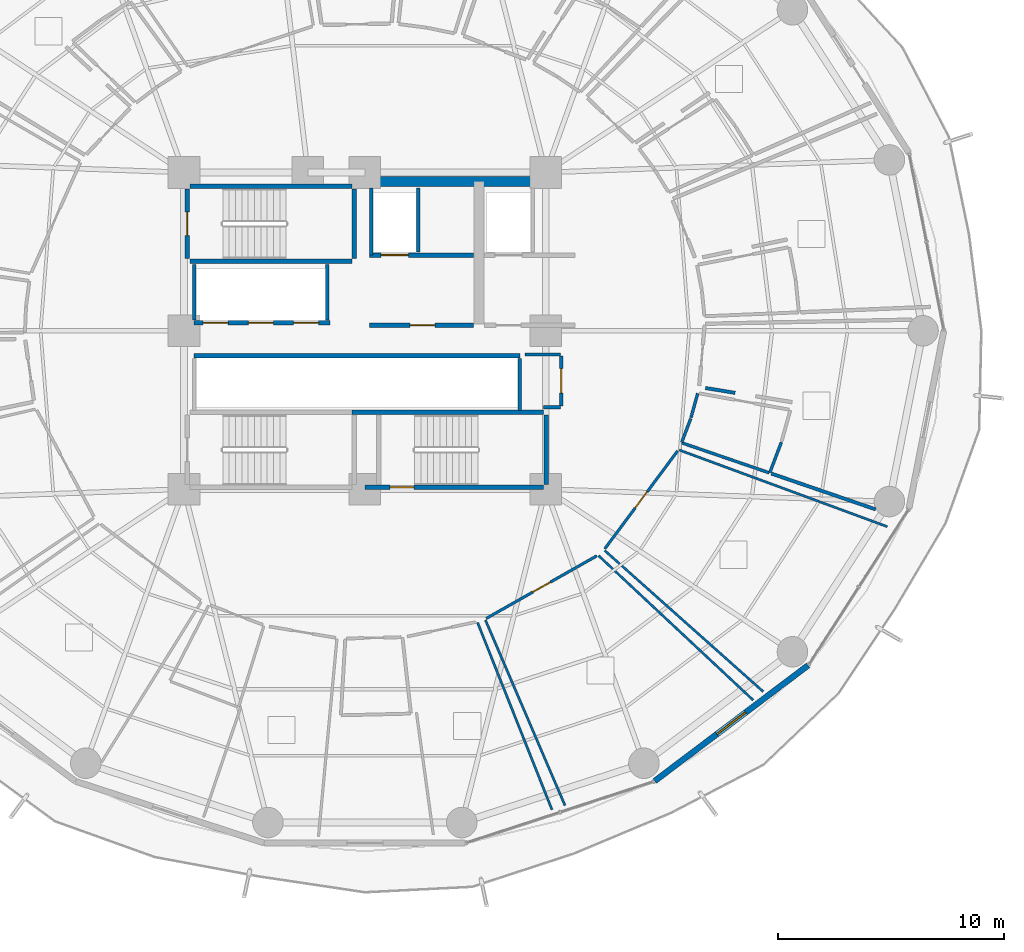
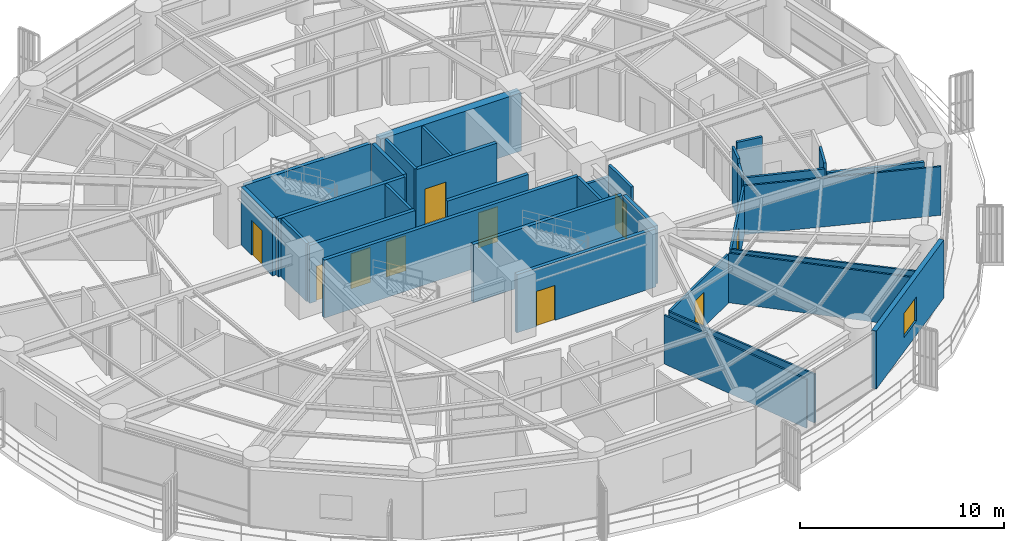
# One storey, part 28 of 35: 34 walls, 10 doors, 1 window, 11 openings.
"""IFC4 building model written with IfcOpenShell, lengths in metres."""

from ifc_helpers import new_model, si_unit, direction, frame, frame_2d, origin, place, context, subcontext, project, spatial, rectangle, extrude, material, layer, layer_set, type_object, element, fill, save


model = new_model("IFC4")

# Units and contexts
model_context = context("Model", 3, precision=1e-05, world=origin(), true_north=direction((0.0, 1.0)))
body_context = subcontext(model_context, "Body", "Model", "MODEL_VIEW")
ifc_project = project(units=[si_unit("LENGTHUNIT", "METRE"), si_unit("AREAUNIT", "SQUARE_METRE"), si_unit("VOLUMEUNIT", "CUBIC_METRE"), si_unit("PLANEANGLEUNIT", "RADIAN"), si_unit("MASSUNIT", "GRAM", prefix="KILO")], contexts=[model_context])

# Site, building, storey
site_placement = place(None, origin())
site = spatial("IfcSite", under=ifc_project, at=site_placement, CompositionType="ELEMENT")
building_placement = place(site_placement, origin())
building = spatial("IfcBuilding", under=site, at=building_placement, Name="Kelanora Arch Commons", CompositionType="ELEMENT")
storey_placement = place(building_placement, frame((0.0, 0.0, 91.35009765625)))
storey = spatial("IfcBuildingStorey", under=building, at=storey_placement, Name="L23", CompositionType="ELEMENT", Elevation=91.35009765625)

# Walls
ifc_material_1 = material(Name="Autoclaved aerated concrete blockwork with fire plaster", Category="masonry")
ifc_layer_1 = layer(ifc_material_1, 0.14990234375)
ifc_layer_set_1 = layer_set([ifc_layer_1], Name="Autoclaved aerated concrete blockwork with fire plaster")
wall_type_1 = type_object("IfcWallType", Name="W-COMP-150", PredefinedType="PARTITIONING", material=ifc_layer_set_1)
wall_1_placement = place(storey_placement, frame((74.280029296875, 61.35009765625, 0.0), z_axis=(0.0, 0.0, 1.0), x_axis=(0.0, 1.0, 0.0)))
element("IfcWall", 1, at=wall_1_placement, inside=storey, type_object=wall_type_1, Name="Firefighting Lift 1 West Shaft Wall L23", PredefinedType="PARTITIONING", context=body_context, shape_type="SweptSolid", body=[
    extrude(rectangle(XDim=2.969970703125, YDim=0.14990234375, at=frame_2d((1.48486328125, 0.0))), origin(), (0.0, 0.0, 1.0), 3.47998046875),
])
wall_2_placement = place(storey_placement, frame((76.360107421875, 61.47998046875, 0.0), z_axis=(0.0, 0.0, 1.0), x_axis=(0.0, 1.0, 0.0)))
element("IfcWall", 2, at=wall_2_placement, inside=storey, type_object=wall_type_1, Name="Firefighting Lift 1 East Shaft Wall L23", PredefinedType="PARTITIONING", context=body_context, shape_type="SweptSolid", body=[
    extrude(rectangle(XDim=2.840087890625, YDim=0.14990234375, at=frame_2d((1.419921875, 0.0))), origin(), (0.0, 0.0, 1.0), 3.47998046875),
])
for number, where, z_axis, x_axis, name in (
    (3, (66.4599609375, 58.47998046875, 0.0), (0.0, 0.0, 1.0), (0.0, 1.0, 0.0), "Low-Rise Lift Bank West Wall L23"),
    (4, (72.340087890625, 58.47998046875, 0.0), (0.0, 0.0, 1.0), (0.0, 1.0, 0.0), "Low-Rise Lift Bank East Wall L23"),
):
    element("IfcWall", number, at=place(storey_placement, frame(where, z_axis=z_axis, x_axis=x_axis)), inside=storey, type_object=wall_type_1, Name=name, PredefinedType="PARTITIONING", context=body_context, shape_type="SweptSolid", body=[
        extrude(rectangle(XDim=2.4599609375, YDim=0.14990234375, at=frame_2d((1.22998046875, 0.0))), origin(), (0.0, 0.0, 1.0), 3.47998046875),
    ])
wall_3_placement = place(storey_placement, frame((80.840087890625, 54.47998046875, 0.0), z_axis=(0.0, 0.0, 1.0), x_axis=(0.0, 1.0, 0.0)))
element("IfcWall", 5, at=wall_3_placement, inside=storey, type_object=wall_type_1, Name="South Lift Bank East Wall L23", PredefinedType="PARTITIONING", context=body_context, shape_type="SweptSolid", body=[
    extrude(rectangle(XDim=2.2900390625, YDim=0.14990234375, at=frame_2d((1.14501953125, 0.0))), origin(), (0.0, 0.0, 1.0), 3.47998046875),
])

# Wall, opening, door
wall_4_placement = place(storey_placement, frame((82.679931640625, 54.679931640625, 0.0), z_axis=(0.0, 0.0, 1.0), x_axis=(0.0, 1.0, 0.0)))
wall_4 = element("IfcWall", 6, at=wall_4_placement, inside=storey, type_object=wall_type_1, Name="Core Housekeeping Store L23 Entry Partition", PredefinedType="PARTITIONING", context=body_context, shape_type="SweptSolid", body=[
    extrude(rectangle(XDim=2.2099609375, YDim=0.14990234375, at=frame_2d((1.10498046875, 0.0))), origin(), (0.0, 0.0, 1.0), 3.47998046875),
])
opening_1_placement = place(wall_4_placement, frame((0.56494140625, 0.0, 0.0)))
opening_1 = element("IfcOpeningElement", 7, at=opening_1_placement, cuts=wall_4, Name="Opening D-PLT1", PredefinedType="OPENING", context=body_context, shape_type="SweptSolid", body=[
    extrude(rectangle(XDim=1.080078125, YDim=2.10009765625, at=frame_2d((0.5400390625, 1.050048828125))), frame((0.0, 0.0849609375, 0.0), z_axis=(0.0, -1.0, 0.0), x_axis=(1.0, 0.0, 0.0)), (0.0, 0.0, 1.0), 0.169921875),
])
ifc_material_2 = material(Name="Galvanised steel plant and riser fire door", Category="steel")
door_type_1 = type_object("IfcDoorType", Name="D-PLT-110", OperationType="NOTDEFINED", PredefinedType="DOOR", material=ifc_material_2)
door_1_placement = place(opening_1_placement, origin())
door_1 = element("IfcDoor", 8, at=door_1_placement, inside=storey, type_object=door_type_1, Name="Core Housekeeping Store L23 Door", OperationType="SINGLE_SWING_LEFT", OverallHeight=2.10009765625, OverallWidth=1.080078125, PredefinedType="DOOR", context=body_context, shape_type="SweptSolid", body=[
    extrude(rectangle(XDim=1.080078125, YDim=2.10009765625, at=frame_2d((0.5400390625, 1.050048828125))), frame((0.0, 0.02490234375, 0.0), z_axis=(0.0, -1.0, 0.0), x_axis=(1.0, 0.0, 0.0)), (0.0, 0.0, 1.0), 0.050048828125),
])
fill(opening_1, door_1)

# Walls
wall_5_placement = place(storey_placement, frame((81.89990234375, 54.6201171875, 0.0), z_axis=(0.0, 0.0, 1.0), x_axis=(1.0, 0.0, 0.0)))
element("IfcWall", 9, at=wall_5_placement, inside=storey, type_object=wall_type_1, Name="Core Housekeeping Store L23 Enclosure Partition 1", PredefinedType="PARTITIONING", context=body_context, shape_type="SweptSolid", body=[
    extrude(rectangle(XDim=0.739990234375, YDim=0.14990234375, at=frame_2d((0.3701171875, 0.0))), origin(), (0.0, 0.0, 1.0), 2.77490234375),
])
wall_6_placement = place(storey_placement, frame((82.639892578125, 56.949951171875, 0.0), z_axis=(0.0, 0.0, 1.0), x_axis=(-1.0, 0.0, 0.0)))
element("IfcWall", 10, at=wall_6_placement, inside=storey, type_object=wall_type_1, Name="Core Housekeeping Store L23 Enclosure Partition 3", PredefinedType="PARTITIONING", context=body_context, shape_type="SweptSolid", body=[
    extrude(rectangle(XDim=1.5498046875, YDim=0.14990234375, at=frame_2d((0.77490234375, 0.0))), origin(), (0.0, 0.0, 1.0), 2.77490234375),
])
wall_7_placement = place(storey_placement, frame((96.58251953125, 50.103515625, 0.0), z_axis=(0.0, 0.0, 1.0), x_axis=(-0.945793886269, 0.324767493288, 0.0)))
element("IfcWall", 11, at=wall_7_placement, inside=storey, type_object=wall_type_1, Name="Co-Living Studio L23-14 Enclosure Partition 5", PredefinedType="PARTITIONING", context=body_context, shape_type="SweptSolid", body=[
    extrude(rectangle(XDim=4.872802734375, YDim=0.14990234375, at=frame_2d((2.4365234375, 0.0))), origin(), (0.0, 0.0, 1.0), 2.9248046875),
])
wall_8_placement = place(storey_placement, frame((90.369140625, 55.255126953125, 0.0), z_axis=(0.0, 0.0, 1.0), x_axis=(-0.986928715278, 0.161157410501, 0.0)))
element("IfcWall", 12, at=wall_8_placement, inside=storey, type_object=wall_type_1, Name="Co-Living Studio L23-14 Enclosure Partition 7", PredefinedType="PARTITIONING", context=body_context, shape_type="SweptSolid", body=[
    extrude(rectangle(XDim=1.33154296875, YDim=0.14990234375, at=frame_2d((0.665771484375, 0.0))), origin(), (0.0, 0.0, 1.0), 3.47998046875),
])
ifc_material_3 = material(Name="Concrete C60/75", Category="concrete")
ifc_layer_2 = layer(ifc_material_3, 0.449951171875)
ifc_layer_set_2 = layer_set([ifc_layer_2], Name="Concrete C60/75")
wall_type_2 = type_object("IfcWallType", Name="W-CORE-450", PredefinedType="SHEAR", material=ifc_layer_set_2)
wall_9_placement = place(storey_placement, frame((74.0, 64.60009765625, 0.0), z_axis=(0.0, 0.0, 1.0), x_axis=(1.0, 0.0, 0.0)))
element("IfcWall", 13, at=wall_9_placement, inside=storey, type_object=wall_type_2, Name="Core Shear Spine L23-CN-E", PredefinedType="SHEAR", context=body_context, shape_type="SweptSolid", body=[
    extrude(rectangle(XDim=8.0, YDim=0.449951171875, at=frame_2d((4.0, 0.0))), origin(), (0.0, 0.0, 1.0), 3.489990234375),
])

# Wall, opening, window
ifc_material_4 = material(Name="Precast concrete C40/50 with terracotta rainscreen", Category="masonry")
ifc_layer_3 = layer(ifc_material_4, 0.260009765625)
ifc_layer_set_3 = layer_set([ifc_layer_3], Name="Precast concrete C40/50 with terracotta rainscreen")
wall_type_3 = type_object("IfcWallType", Name="W-EXT-TC", PredefinedType="SOLIDWALL", material=ifc_layer_set_3)
wall_10_placement = place(storey_placement, frame((86.81201171875, 38.09033203125, 0.0), z_axis=(0.0, 0.0, 1.0), x_axis=(0.798501507879, 0.601992808857, 0.0)))
wall_10 = element("IfcWall", 14, at=wall_10_placement, inside=storey, type_object=wall_type_3, Name="Terracotta Exterior Wall L23-B15", PredefinedType="SOLIDWALL", context=body_context, shape_type="SweptSolid", body=[
    extrude(rectangle(XDim=8.499267578125, YDim=0.260009765625, at=frame_2d((4.24951171875, 0.0))), origin(), (0.0, 0.0, 1.0), 3.474853515625),
])
opening_2_placement = place(wall_10_placement, frame((3.449951171875, 0.0, 0.85009765625)))
opening_2 = element("IfcOpeningElement", 15, at=opening_2_placement, cuts=wall_10, Name="Opening WN-01", PredefinedType="OPENING", context=body_context, shape_type="SweptSolid", body=[
    extrude(rectangle(XDim=1.60009765625, YDim=1.449951171875, at=frame_2d((0.800048828125, 0.72509765625))), frame((0.0, 0.14013671875, 0.0), z_axis=(0.0, -1.0, 0.0), x_axis=(1.0, 0.0, 0.0)), (0.0, 0.0, 1.0), 0.280029296875),
])
ifc_material_5 = material(Name="Terracotta-anodised aluminium frame with operable low-E glazing", Category="masonry")
window_type = type_object("IfcWindowType", Name="WIN-CL-18", PartitioningType="DOUBLE_PANEL_VERTICAL", PredefinedType="WINDOW", material=ifc_material_5)
window_placement = place(opening_2_placement, origin())
window = element("IfcWindow", 16, at=window_placement, inside=storey, type_object=window_type, Name="Co-Living Operable Window L23-B15", OverallHeight=1.449951171875, OverallWidth=1.60009765625, PartitioningType="SINGLE_PANEL", PredefinedType="WINDOW", context=body_context, shape_type="SweptSolid", body=[
    extrude(rectangle(XDim=1.60009765625, YDim=1.449951171875, at=frame_2d((0.800048828125, 0.72509765625))), frame((0.0, 0.030029296875, 0.0), z_axis=(0.0, -1.0, 0.0), x_axis=(1.0, 0.0, 0.0)), (0.0, 0.0, 1.0), 0.06005859375),
])
fill(opening_2, window)

# Wall, opening, door
ifc_material_6 = material(Name="Concrete C40/50", Category="concrete")
ifc_layer_4 = layer(ifc_material_6, 0.199951171875)
ifc_layer_set_4 = layer_set([ifc_layer_4], Name="Concrete C40/50")
wall_type_4 = type_object("IfcWallType", Name="W-FFL-200", PredefinedType="SOLIDWALL", material=ifc_layer_set_4)
wall_11_placement = place(storey_placement, frame((74.199951171875, 61.35009765625, 0.0), z_axis=(0.0, 0.0, 1.0), x_axis=(1.0, 0.0, 0.0)))
wall_11 = element("IfcWall", 17, at=wall_11_placement, inside=storey, type_object=wall_type_4, Name="Firefighting Lift 1 Shaft Front L23", PredefinedType="SOLIDWALL", context=body_context, shape_type="SweptSolid", body=[
    extrude(rectangle(XDim=4.60009765625, YDim=0.199951171875, at=frame_2d((2.300048828125, 0.0))), origin(), (0.0, 0.0, 1.0), 3.47998046875),
])
opening_3_placement = place(wall_11_placement, frame((0.52001953125, 0.0, 0.0)))
opening_3 = element("IfcOpeningElement", 18, at=opening_3_placement, cuts=wall_11, Name="Opening LD-FF", PredefinedType="OPENING", context=body_context, shape_type="SweptSolid", body=[
    extrude(rectangle(XDim=1.199951171875, YDim=2.14990234375, at=frame_2d((0.60009765625, 1.074951171875))), frame((0.0, 0.10986328125, 0.0), z_axis=(0.0, -1.0, 0.0), x_axis=(1.0, 0.0, 0.0)), (0.0, 0.0, 1.0), 0.219970703125),
])
ifc_material_7 = material(Name="Fire-rated firefighters lift sliding landing door")
door_type_2 = type_object("IfcDoorType", Name="D-LIFT-FF", OperationType="NOTDEFINED", PredefinedType="DOOR", material=ifc_material_7)
door_2_placement = place(opening_3_placement, origin())
door_2 = element("IfcDoor", 19, at=door_2_placement, inside=storey, type_object=door_type_2, Name="Firefighting Lift LF-FF1 Landing Door L23", OperationType="DOUBLE_DOOR_SLIDING", OverallHeight=2.14990234375, OverallWidth=1.199951171875, PredefinedType="DOOR", context=body_context, shape_type="SweptSolid", body=[
    extrude(rectangle(XDim=1.199951171875, YDim=2.14990234375, at=frame_2d((0.60009765625, 1.074951171875))), frame((0.0, 0.02490234375, 0.0), z_axis=(0.0, -1.0, 0.0), x_axis=(1.0, 0.0, 0.0)), (0.0, 0.0, 1.0), 0.050048828125),
])
fill(opening_3, door_2)

wall_12_placement = place(storey_placement, frame((74.199951171875, 58.25, 0.0), z_axis=(0.0, 0.0, 1.0), x_axis=(1.0, 0.0, 0.0)))
wall_12 = element("IfcWall", 20, at=wall_12_placement, inside=storey, type_object=wall_type_4, Name="Firefighting Lobby 1 Enclosure Wall L23", PredefinedType="SOLIDWALL", context=body_context, shape_type="SweptSolid", body=[
    extrude(rectangle(XDim=4.60009765625, YDim=0.199951171875, at=frame_2d((2.300048828125, 0.0))), origin(), (0.0, 0.0, 1.0), 3.47998046875),
])
opening_4_placement = place(wall_12_placement, frame((1.800048828125, 0.0, 0.0)))
opening_4 = element("IfcOpeningElement", 21, at=opening_4_placement, cuts=wall_12, Name="Opening D-FFL1", PredefinedType="OPENING", context=body_context, shape_type="SweptSolid", body=[
    extrude(rectangle(XDim=1.10009765625, YDim=2.10009765625, at=frame_2d((0.550048828125, 1.050048828125))), frame((0.0, 0.10986328125, 0.0), z_axis=(0.0, -1.0, 0.0), x_axis=(1.0, 0.0, 0.0)), (0.0, 0.0, 1.0), 0.219970703125),
])
ifc_material_8 = material(Name="Smoke-sealed firefighting lobby fire door")
door_type_3 = type_object("IfcDoorType", Name="D-FFL-110", OperationType="NOTDEFINED", PredefinedType="DOOR", material=ifc_material_8)
door_3_placement = place(opening_4_placement, frame((1.10009765625, 0.0, 0.0), z_axis=(0.0, 0.0, 1.0), x_axis=(-1.0, 0.0, 0.0)))
door_3 = element("IfcDoor", 22, at=door_3_placement, inside=storey, type_object=door_type_3, Name="Firefighting Lobby 1 Door L23", OperationType="SINGLE_SWING_LEFT", OverallHeight=2.10009765625, OverallWidth=1.10009765625, PredefinedType="DOOR", context=body_context, shape_type="SweptSolid", body=[
    extrude(rectangle(XDim=1.10009765625, YDim=2.10009765625, at=frame_2d((0.550048828125, 1.050048828125))), frame((0.0, 0.02490234375, 0.0), z_axis=(0.0, -1.0, 0.0), x_axis=(1.0, 0.0, 0.0)), (0.0, 0.0, 1.0), 0.050048828125),
])
fill(opening_4, door_3)

# Wall, openings, doors
wall_13_placement = place(storey_placement, frame((66.449951171875, 58.35009765625, 0.0), z_axis=(0.0, 0.0, 1.0), x_axis=(1.0, 0.0, 0.0)))
wall_13 = element("IfcWall", 23, at=wall_13_placement, inside=storey, type_object=wall_type_4, Name="Low-Rise Passenger Lift Shaft Front L23", PredefinedType="SOLIDWALL", context=body_context, shape_type="SweptSolid", body=[
    extrude(rectangle(XDim=6.0, YDim=0.199951171875, at=frame_2d((3.0, 0.0))), origin(), (0.0, 0.0, 1.0), 3.47998046875),
])
opening_5_placement = place(wall_13_placement, frame((0.39990234375, 0.0, 0.0)))
opening_5 = element("IfcOpeningElement", 24, at=opening_5_placement, cuts=wall_13, Name="Opening LD-01", PredefinedType="OPENING", context=body_context, shape_type="SweptSolid", body=[
    extrude(rectangle(XDim=1.10009765625, YDim=2.10009765625, at=frame_2d((0.550048828125, 1.050048828125))), frame((0.0, 0.10986328125, 0.0), z_axis=(0.0, -1.0, 0.0), x_axis=(1.0, 0.0, 0.0)), (0.0, 0.0, 1.0), 0.219970703125),
])
opening_6_placement = place(wall_13_placement, frame((2.39990234375, 0.0, 0.0)))
opening_6 = element("IfcOpeningElement", 25, at=opening_6_placement, cuts=wall_13, Name="Opening LD-01", PredefinedType="OPENING", context=body_context, shape_type="SweptSolid", body=[
    extrude(rectangle(XDim=1.10009765625, YDim=2.10009765625, at=frame_2d((0.550048828125, 1.050048828125))), frame((0.0, 0.10986328125, 0.0), z_axis=(0.0, -1.0, 0.0), x_axis=(1.0, 0.0, 0.0)), (0.0, 0.0, 1.0), 0.219970703125),
])
opening_7_placement = place(wall_13_placement, frame((4.39990234375, 0.0, 0.0)))
opening_7 = element("IfcOpeningElement", 26, at=opening_7_placement, cuts=wall_13, Name="Opening LD-01", PredefinedType="OPENING", context=body_context, shape_type="SweptSolid", body=[
    extrude(rectangle(XDim=1.10009765625, YDim=2.10009765625, at=frame_2d((0.550048828125, 1.050048828125))), frame((0.0, 0.10986328125, 0.0), z_axis=(0.0, -1.0, 0.0), x_axis=(1.0, 0.0, 0.0)), (0.0, 0.0, 1.0), 0.219970703125),
])
ifc_material_9 = material(Name="Stainless steel passenger lift sliding landing door", Category="steel")
door_type_4 = type_object("IfcDoorType", Name="D-LIFT-110", OperationType="NOTDEFINED", PredefinedType="DOOR", material=ifc_material_9)
door_4_placement = place(opening_5_placement, origin())
door_4 = element("IfcDoor", 27, at=door_4_placement, inside=storey, type_object=door_type_4, Name="Passenger Lift LF-P1 Landing Door L23", OperationType="DOUBLE_DOOR_SLIDING", OverallHeight=2.10009765625, OverallWidth=1.10009765625, PredefinedType="DOOR", context=body_context, shape_type="SweptSolid", body=[
    extrude(rectangle(XDim=1.10009765625, YDim=2.10009765625, at=frame_2d((0.550048828125, 1.050048828125))), frame((0.0, 0.02490234375, 0.0), z_axis=(0.0, -1.0, 0.0), x_axis=(1.0, 0.0, 0.0)), (0.0, 0.0, 1.0), 0.050048828125),
])
fill(opening_5, door_4)
door_5_placement = place(opening_6_placement, origin())
door_5 = element("IfcDoor", 28, at=door_5_placement, inside=storey, type_object=door_type_4, Name="Passenger Lift LF-P2 Landing Door L23", OperationType="DOUBLE_DOOR_SLIDING", OverallHeight=2.10009765625, OverallWidth=1.10009765625, PredefinedType="DOOR", context=body_context, shape_type="SweptSolid", body=[
    extrude(rectangle(XDim=1.10009765625, YDim=2.10009765625, at=frame_2d((0.550048828125, 1.050048828125))), frame((0.0, 0.02490234375, 0.0), z_axis=(0.0, -1.0, 0.0), x_axis=(1.0, 0.0, 0.0)), (0.0, 0.0, 1.0), 0.050048828125),
])
fill(opening_6, door_5)
door_6_placement = place(opening_7_placement, origin())
door_6 = element("IfcDoor", 29, at=door_6_placement, inside=storey, type_object=door_type_4, Name="Passenger Lift LF-P3 Landing Door L23", OperationType="DOUBLE_DOOR_SLIDING", OverallHeight=2.10009765625, OverallWidth=1.10009765625, PredefinedType="DOOR", context=body_context, shape_type="SweptSolid", body=[
    extrude(rectangle(XDim=1.10009765625, YDim=2.10009765625, at=frame_2d((0.550048828125, 1.050048828125))), frame((0.0, 0.02490234375, 0.0), z_axis=(0.0, -1.0, 0.0), x_axis=(1.0, 0.0, 0.0)), (0.0, 0.0, 1.0), 0.050048828125),
])
fill(opening_7, door_6)

# Walls
wall_14_placement = place(storey_placement, frame((66.449951171875, 56.89990234375, 0.0), z_axis=(0.0, 0.0, 1.0), x_axis=(1.0, 0.0, 0.0)))
element("IfcWall", 30, at=wall_14_placement, inside=storey, type_object=wall_type_4, Name="Mid/High/Express Lift Shaft Front L23", PredefinedType="SOLIDWALL", context=body_context, shape_type="SweptSolid", body=[
    extrude(rectangle(XDim=14.400146484375, YDim=0.199951171875, at=frame_2d((7.2001953125, 0.0))), origin(), (0.0, 0.0, 1.0), 3.47998046875),
])
ifc_material_10 = material(Name="Lightweight fire-rated acoustic stud partition")
ifc_layer_5 = layer(ifc_material_10, 0.10009765625)
ifc_layer_set_5 = layer_set([ifc_layer_5], Name="Lightweight fire-rated acoustic stud partition")
wall_type_5 = type_object("IfcWallType", Name="W-PART-100", PredefinedType="PARTITIONING", material=ifc_layer_set_5)
wall_15_placement = place(storey_placement, frame((78.98291015625, 45.098876953125, 0.0), z_axis=(0.0, 0.0, 1.0), x_axis=(0.369438475108, -0.929255192673, 0.0)))
element("IfcWall", 31, at=wall_15_placement, inside=storey, type_object=wall_type_5, Name="Tutorial Study Alcove L23-11 Enclosure Partition 2", PredefinedType="PARTITIONING", context=body_context, shape_type="SweptSolid", body=[
    extrude(rectangle(XDim=8.908935546875, YDim=0.10009765625, at=frame_2d((4.45458984375, 0.0))), origin(), (0.0, 0.0, 1.0), 2.9248046875),
])
wall_16_placement = place(storey_placement, frame((84.337158203125, 48.052734375, 0.0), z_axis=(0.0, 0.0, 1.0), x_axis=(0.730663657097, -0.682737592489, 0.0)))
element("IfcWall", 32, at=wall_16_placement, inside=storey, type_object=wall_type_5, Name="Quiet Seminar Study Room L23-12 Enclosure Partition 2", PredefinedType="PARTITIONING", context=body_context, shape_type="SweptSolid", body=[
    extrude(rectangle(XDim=9.352783203125, YDim=0.10009765625, at=frame_2d((4.67626953125, 0.0))), origin(), (0.0, 0.0, 1.0), 2.974853515625),
])
wall_17_placement = place(storey_placement, frame((82.84912109375, 37.0078125, 0.0), z_axis=(0.0, 0.0, 1.0), x_axis=(-0.394269081074, 0.918995044442, 0.0)))
element("IfcWall", 33, at=wall_17_placement, inside=storey, type_object=wall_type_5, Name="Quiet Seminar Study Room L23-12 Enclosure Partition 4", PredefinedType="PARTITIONING", context=body_context, shape_type="SweptSolid", body=[
    extrude(rectangle(XDim=8.928466796875, YDim=0.10009765625, at=frame_2d((4.46435546875, 0.0))), origin(), (0.0, 0.0, 1.0), 2.9248046875),
])
wall_18_placement = place(storey_placement, frame((87.903564453125, 52.726318359375, 0.0), z_axis=(0.0, 0.0, 1.0), x_axis=(0.938361829853, -0.345654562063, 0.0)))
element("IfcWall", 34, at=wall_18_placement, inside=storey, type_object=wall_type_5, Name="Quiet Seminar Study Room L23-13 Enclosure Partition 2", PredefinedType="PARTITIONING", context=body_context, shape_type="SweptSolid", body=[
    extrude(rectangle(XDim=9.800048828125, YDim=0.10009765625, at=frame_2d((4.89990234375, 0.0))), origin(), (0.0, 0.0, 1.0), 2.9248046875),
])
wall_19_placement = place(storey_placement, frame((91.611083984375, 42.047607421875, 0.0), z_axis=(0.0, 0.0, 1.0), x_axis=(-0.747021589751, 0.664799777713, 0.0)))
element("IfcWall", 35, at=wall_19_placement, inside=storey, type_object=wall_type_5, Name="Quiet Seminar Study Room L23-13 Enclosure Partition 4", PredefinedType="PARTITIONING", context=body_context, shape_type="SweptSolid", body=[
    extrude(rectangle(XDim=9.383056640625, YDim=0.10009765625, at=frame_2d((4.69140625, 0.0))), origin(), (0.0, 0.0, 1.0), 2.974853515625),
])

# Wall, opening, door
ifc_material_11 = material(Name="Acoustic twin-stud fire-rated gypsum partition")
ifc_layer_6 = layer(ifc_material_11, 0.1201171875)
ifc_layer_set_6 = layer_set([ifc_layer_6], Name="Acoustic twin-stud fire-rated gypsum partition")
wall_type_6 = type_object("IfcWallType", Name="W-PART-120", PredefinedType="PARTITIONING", material=ifc_layer_set_6)
wall_20_placement = place(storey_placement, frame((79.365234375, 45.279541015625, 0.0), z_axis=(0.0, 0.0, 1.0), x_axis=(0.870068136537, 0.49293147372, 0.0)))
wall_20 = element("IfcWall", 36, at=wall_20_placement, inside=storey, type_object=wall_type_6, Name="Quiet Seminar Study Room L23-12 Entry Partition", PredefinedType="PARTITIONING", context=body_context, shape_type="SweptSolid", body=[
    extrude(rectangle(XDim=5.620849609375, YDim=0.1201171875, at=frame_2d((2.810546875, 0.0))), origin(), (0.0, 0.0, 1.0), 2.9248046875),
])
opening_8_placement = place(wall_20_placement, frame((2.360107421875, 0.0, 0.0)))
opening_8 = element("IfcOpeningElement", 37, at=opening_8_placement, cuts=wall_20, Name="Opening D-RM1", PredefinedType="OPENING", context=body_context, shape_type="SweptSolid", body=[
    extrude(rectangle(XDim=0.89990234375, YDim=2.080078125, at=frame_2d((0.449951171875, 1.0400390625))), frame((0.0, 0.070068359375, 0.0), z_axis=(0.0, -1.0, 0.0), x_axis=(1.0, 0.0, 0.0)), (0.0, 0.0, 1.0), 0.14013671875),
])
ifc_material_12 = material(Name="Acoustic fire-rated timber study and lounge door", Category="wood")
door_type_5 = type_object("IfcDoorType", Name="D-ROOM-90", OperationType="NOTDEFINED", PredefinedType="DOOR", material=ifc_material_12)
door_7_placement = place(opening_8_placement, origin())
door_7 = element("IfcDoor", 38, at=door_7_placement, inside=storey, type_object=door_type_5, Name="Quiet Seminar Study Room L23-12 Door", OperationType="SINGLE_SWING_RIGHT", OverallHeight=2.080078125, OverallWidth=0.89990234375, PredefinedType="DOOR", context=body_context, shape_type="SweptSolid", body=[
    extrude(rectangle(XDim=0.89990234375, YDim=2.080078125, at=frame_2d((0.449951171875, 1.0400390625))), frame((0.0, 0.02490234375, 0.0), z_axis=(0.0, -1.0, 0.0), x_axis=(1.0, 0.0, 0.0)), (0.0, 0.0, 1.0), 0.050048828125),
])
fill(opening_8, door_7)

wall_21_placement = place(storey_placement, frame((84.60791015625, 48.360107421875, 0.0), z_axis=(0.0, 0.0, 1.0), x_axis=(0.596833425992, 0.802365167251, 0.0)))
wall_21 = element("IfcWall", 39, at=wall_21_placement, inside=storey, type_object=wall_type_6, Name="Quiet Seminar Study Room L23-13 Entry Partition", PredefinedType="PARTITIONING", context=body_context, shape_type="SweptSolid", body=[
    extrude(rectangle(XDim=5.398681640625, YDim=0.1201171875, at=frame_2d((2.69921875, 0.0))), origin(), (0.0, 0.0, 1.0), 2.9248046875),
])
opening_9_placement = place(wall_21_placement, frame((2.2490234375, 0.0, 0.0)))
opening_9 = element("IfcOpeningElement", 40, at=opening_9_placement, cuts=wall_21, Name="Opening D-RM1", PredefinedType="OPENING", context=body_context, shape_type="SweptSolid", body=[
    extrude(rectangle(XDim=0.89990234375, YDim=2.080078125, at=frame_2d((0.449951171875, 1.0400390625))), frame((0.0, 0.070068359375, 0.0), z_axis=(0.0, -1.0, 0.0), x_axis=(1.0, 0.0, 0.0)), (0.0, 0.0, 1.0), 0.14013671875),
])
door_8_placement = place(opening_9_placement, origin())
door_8 = element("IfcDoor", 41, at=door_8_placement, inside=storey, type_object=door_type_5, Name="Quiet Seminar Study Room L23-13 Door", OperationType="SINGLE_SWING_LEFT", OverallHeight=2.080078125, OverallWidth=0.89990234375, PredefinedType="DOOR", context=body_context, shape_type="SweptSolid", body=[
    extrude(rectangle(XDim=0.89990234375, YDim=2.080078125, at=frame_2d((0.449951171875, 1.0400390625))), frame((0.0, 0.02490234375, 0.0), z_axis=(0.0, -1.0, 0.0), x_axis=(1.0, 0.0, 0.0)), (0.0, 0.0, 1.0), 0.050048828125),
])
fill(opening_9, door_8)

# Walls
ifc_layer_7 = layer(ifc_material_6, 0.199951171875)
ifc_layer_set_7 = layer_set([ifc_layer_7], Name="Concrete C40/50")
wall_type_7 = type_object("IfcWallType", Name="W-STAIR-200", PredefinedType="SHEAR", material=ifc_layer_set_7)
wall_22_placement = place(storey_placement, frame((66.260009765625, 61.080078125, 0.0), z_axis=(0.0, 0.0, 1.0), x_axis=(1.0, 0.0, 0.0)))
element("IfcWall", 42, at=wall_22_placement, inside=storey, type_object=wall_type_7, Name="Stair ST-T1 Shaft Wall S L23", PredefinedType="SHEAR", context=body_context, shape_type="SweptSolid", body=[
    extrude(rectangle(XDim=7.159912109375, YDim=0.199951171875, at=frame_2d((3.580078125, 0.0))), origin(), (0.0, 0.0, 1.0), 3.489990234375),
])
wall_23_placement = place(storey_placement, frame((73.5400390625, 61.199951171875, 0.0), z_axis=(0.0, 0.0, 1.0), x_axis=(0.0, 1.0, 0.0)))
element("IfcWall", 43, at=wall_23_placement, inside=storey, type_object=wall_type_7, Name="Stair ST-T1 Shaft Wall E L23", PredefinedType="SHEAR", context=body_context, shape_type="SweptSolid", body=[
    extrude(rectangle(XDim=3.070068359375, YDim=0.199951171875, at=frame_2d((1.53515625, 0.0))), origin(), (0.0, 0.0, 1.0), 3.489990234375),
])
wall_24_placement = place(storey_placement, frame((73.419921875, 64.389892578125, 0.0), z_axis=(0.0, 0.0, 1.0), x_axis=(-1.0, 0.0, 0.0)))
element("IfcWall", 44, at=wall_24_placement, inside=storey, type_object=wall_type_7, Name="Stair ST-T1 Shaft Wall N L23", PredefinedType="SHEAR", context=body_context, shape_type="SweptSolid", body=[
    extrude(rectangle(XDim=7.159912109375, YDim=0.199951171875, at=frame_2d((3.580078125, 0.0))), origin(), (0.0, 0.0, 1.0), 3.489990234375),
])

# Wall, opening, door
wall_25_placement = place(storey_placement, frame((66.139892578125, 64.27001953125, 0.0), z_axis=(0.0, 0.0, 1.0), x_axis=(0.0, -1.0, 0.0)))
wall_25 = element("IfcWall", 45, at=wall_25_placement, inside=storey, type_object=wall_type_7, Name="Stair ST-T1 Shaft Wall W L23", PredefinedType="SHEAR", context=body_context, shape_type="SweptSolid", body=[
    extrude(rectangle(XDim=3.070068359375, YDim=0.199951171875, at=frame_2d((1.53515625, 0.0))), origin(), (0.0, 0.0, 1.0), 3.489990234375),
])
opening_10_placement = place(wall_25_placement, frame((1.010009765625, 0.0, 0.0)))
opening_10 = element("IfcOpeningElement", 46, at=opening_10_placement, cuts=wall_25, Name="Opening D-ST1", PredefinedType="OPENING", context=body_context, shape_type="SweptSolid", body=[
    extrude(rectangle(XDim=1.050048828125, YDim=2.10009765625, at=frame_2d((0.52490234375, 1.050048828125))), frame((0.0, 0.10986328125, 0.0), z_axis=(0.0, -1.0, 0.0), x_axis=(1.0, 0.0, 0.0)), (0.0, 0.0, 1.0), 0.219970703125),
])
ifc_material_13 = material(Name="Steel fire-rated stairwell escape door", Category="steel")
door_type_6 = type_object("IfcDoorType", Name="D-STAIR-110", OperationType="NOTDEFINED", PredefinedType="DOOR", material=ifc_material_13)
door_9_placement = place(opening_10_placement, origin())
door_9 = element("IfcDoor", 47, at=door_9_placement, inside=storey, type_object=door_type_6, Name="Stair ST-T1 Escape Door L23", OperationType="SINGLE_SWING_LEFT", OverallHeight=2.10009765625, OverallWidth=1.050048828125, PredefinedType="DOOR", context=body_context, shape_type="SweptSolid", body=[
    extrude(rectangle(XDim=1.050048828125, YDim=2.10009765625, at=frame_2d((0.52490234375, 1.050048828125))), frame((0.0, 0.02490234375, 0.0), z_axis=(0.0, -1.0, 0.0), x_axis=(1.0, 0.0, 0.0)), (0.0, 0.0, 1.0), 0.050048828125),
])
fill(opening_10, door_9)

wall_26_placement = place(storey_placement, frame((74.0, 51.080078125, 0.0), z_axis=(0.0, 0.0, 1.0), x_axis=(1.0, 0.0, 0.0)))
wall_26 = element("IfcWall", 48, at=wall_26_placement, inside=storey, type_object=wall_type_7, Name="Stair ST-T2 Shaft Wall S L23", PredefinedType="SHEAR", context=body_context, shape_type="SweptSolid", body=[
    extrude(rectangle(XDim=7.89990234375, YDim=0.199951171875, at=frame_2d((3.949951171875, 0.0))), origin(), (0.0, 0.0, 1.0), 3.489990234375),
])
opening_11_placement = place(wall_26_placement, frame((1.1201171875, 0.0, 0.0)))
opening_11 = element("IfcOpeningElement", 49, at=opening_11_placement, cuts=wall_26, Name="Opening D-ST1", PredefinedType="OPENING", context=body_context, shape_type="SweptSolid", body=[
    extrude(rectangle(XDim=1.050048828125, YDim=2.10009765625, at=frame_2d((0.52490234375, 1.050048828125))), frame((0.0, 0.10986328125, 0.0), z_axis=(0.0, -1.0, 0.0), x_axis=(1.0, 0.0, 0.0)), (0.0, 0.0, 1.0), 0.219970703125),
])
door_10_placement = place(opening_11_placement, origin())
door_10 = element("IfcDoor", 50, at=door_10_placement, inside=storey, type_object=door_type_6, Name="Stair ST-T2 Escape Door L23", OperationType="SINGLE_SWING_LEFT", OverallHeight=2.10009765625, OverallWidth=1.050048828125, PredefinedType="DOOR", context=body_context, shape_type="SweptSolid", body=[
    extrude(rectangle(XDim=1.050048828125, YDim=2.10009765625, at=frame_2d((0.52490234375, 1.050048828125))), frame((0.0, 0.02490234375, 0.0), z_axis=(0.0, -1.0, 0.0), x_axis=(1.0, 0.0, 0.0)), (0.0, 0.0, 1.0), 0.050048828125),
])
fill(opening_11, door_10)

# Walls
wall_27_placement = place(storey_placement, frame((82.02001953125, 51.199951171875, 0.0), z_axis=(0.0, 0.0, 1.0), x_axis=(0.0, 1.0, 0.0)))
element("IfcWall", 51, at=wall_27_placement, inside=storey, type_object=wall_type_7, Name="Stair ST-T2 Shaft Wall E L23", PredefinedType="SHEAR", context=body_context, shape_type="SweptSolid", body=[
    extrude(rectangle(XDim=3.070068359375, YDim=0.199951171875, at=frame_2d((1.53515625, 0.0))), origin(), (0.0, 0.0, 1.0), 3.489990234375),
])
wall_28_placement = place(storey_placement, frame((81.89990234375, 54.389892578125, 0.0), z_axis=(0.0, 0.0, 1.0), x_axis=(-1.0, 0.0, 0.0)))
element("IfcWall", 52, at=wall_28_placement, inside=storey, type_object=wall_type_7, Name="Stair ST-T2 Shaft Wall N L23", PredefinedType="SHEAR", context=body_context, shape_type="SweptSolid", body=[
    extrude(rectangle(XDim=8.4599609375, YDim=0.199951171875, at=frame_2d((4.22998046875, 0.0))), origin(), (0.0, 0.0, 1.0), 3.489990234375),
])
ifc_material_14 = material(Name="Moisture-resistant fire-rated cement-board plumbing wall")
ifc_layer_8 = layer(ifc_material_14, 0.1298828125)
ifc_layer_set_8 = layer_set([ifc_layer_8], Name="Moisture-resistant fire-rated cement-board plumbing wall")
wall_type_8 = type_object("IfcWallType", Name="W-WET-120", PredefinedType="PLUMBINGWALL", material=ifc_layer_set_8)
wall_29_placement = place(storey_placement, frame((88.010009765625, 53.067626953125, 0.0), z_axis=(0.0, 0.0, 1.0), x_axis=(0.353582849957, 0.93540321157, 0.0)))
element("IfcWall", 53, at=wall_29_placement, inside=storey, type_object=wall_type_8, Name="En-Suite Shower WC L23-14 Enclosure Partition 1", PredefinedType="PLUMBINGWALL", context=body_context, shape_type="SweptSolid", body=[
    extrude(rectangle(XDim=1.119873046875, YDim=0.1298828125, at=frame_2d((0.56005859375, 0.0))), origin(), (0.0, 0.0, 1.0), 3.23486328125),
])
wall_30_placement = place(storey_placement, frame((88.418212890625, 54.1533203125, 0.0), z_axis=(0.0, 0.0, 1.0), x_axis=(0.266139738922, 0.963934458024, 0.0)))
element("IfcWall", 54, at=wall_30_placement, inside=storey, type_object=wall_type_8, Name="En-Suite Shower WC L23-14 Enclosure Partition 2", PredefinedType="PLUMBINGWALL", context=body_context, shape_type="SweptSolid", body=[
    extrude(rectangle(XDim=1.11376953125, YDim=0.1298828125, at=frame_2d((0.556884765625, 0.0))), origin(), (0.0, 0.0, 1.0), 3.47998046875),
])
wall_31_placement = place(storey_placement, frame((92.414794921875, 53.072265625, 0.0), z_axis=(0.0, 0.0, 1.0), x_axis=(-0.354833873896, -0.934929367351, 0.0)))
element("IfcWall", 55, at=wall_31_placement, inside=storey, type_object=wall_type_8, Name="En-Suite Shower WC L23-14 Enclosure Partition 5", PredefinedType="PLUMBINGWALL", context=body_context, shape_type="SweptSolid", body=[
    extrude(rectangle(XDim=1.433837890625, YDim=0.1298828125, at=frame_2d((0.716796875, 0.0))), origin(), (0.0, 0.0, 1.0), 3.47998046875),
])
wall_32_placement = place(storey_placement, frame((91.880126953125, 51.719482421875, 0.0), z_axis=(0.0, 0.0, 1.0), x_axis=(-0.945930729077, 0.324368703466, 0.0)))
element("IfcWall", 56, at=wall_32_placement, inside=storey, type_object=wall_type_8, Name="En-Suite Shower WC L23-14 Enclosure Partition 6", PredefinedType="PLUMBINGWALL", context=body_context, shape_type="SweptSolid", body=[
    extrude(rectangle(XDim=4.07861328125, YDim=0.1298828125, at=frame_2d((2.039306640625, 0.0))), origin(), (0.0, 0.0, 1.0), 3.1748046875),
])

save(model, "model.ifc")
